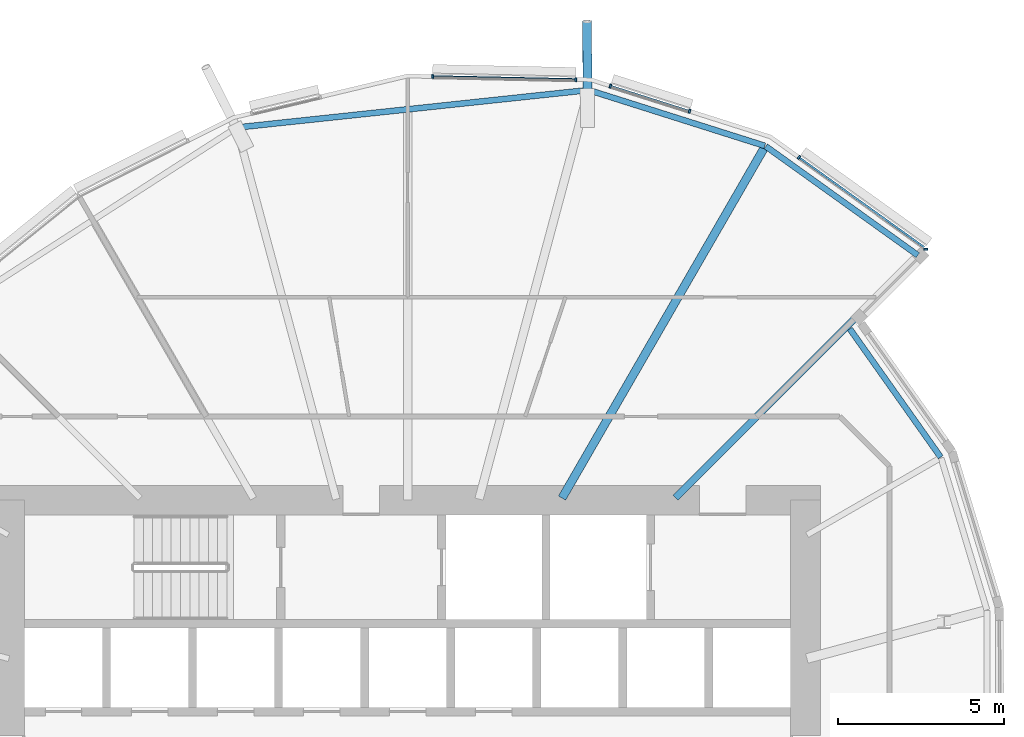
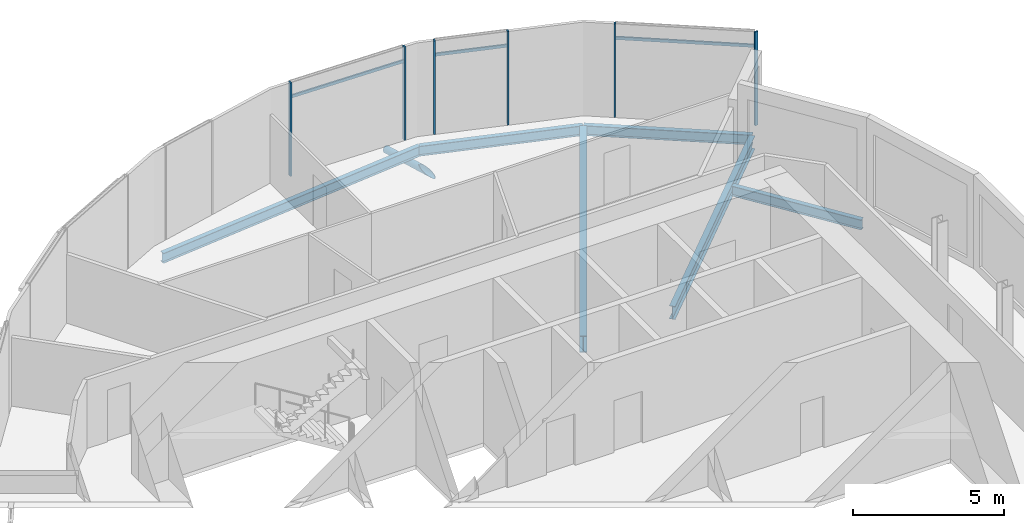
# One storey, part 17 of 36: 10 members, 6 beams, 1 element without a shape of its own.
"""IFC4 building model written with IfcOpenShell, lengths in metres."""

from ifc_helpers import new_model, si_unit, direction, frame, origin, origin_2d, place, context, subcontext, project, spatial, rectangle, hollow_circle, i_section, extrude, clip, halfspace, material, material_profile, profile_set, type_object, element, aggregate, save


model = new_model("IFC4")

# Units and contexts
model_context = context("Model", 3, precision=1e-05, world=origin(), true_north=direction((0.0, 1.0)))
body_context = subcontext(model_context, "Body", "Model", "MODEL_VIEW")
ifc_project = project(units=[si_unit("LENGTHUNIT", "METRE"), si_unit("AREAUNIT", "SQUARE_METRE"), si_unit("VOLUMEUNIT", "CUBIC_METRE"), si_unit("PLANEANGLEUNIT", "RADIAN"), si_unit("MASSUNIT", "GRAM", prefix="KILO")], contexts=[model_context])

# Site, building, storey
site_placement = place(None, origin())
site = spatial("IfcSite", under=ifc_project, at=site_placement, CompositionType="ELEMENT")
building_placement = place(site_placement, origin())
building = spatial("IfcBuilding", under=site, at=building_placement, Name="Rimbun Link Towers", CompositionType="ELEMENT")
storey_placement = place(building_placement, frame((0.0, 0.0, 33.800048828125)))
storey = spatial("IfcBuildingStorey", under=building, at=storey_placement, Name="L07", CompositionType="ELEMENT", Elevation=33.800048828125)

# Curtain wall, members
ifc_material_1 = material(Name="Aluminium 6063-T6 and low-iron glass", Category="aluminium")
curtain_wall_type = type_object("IfcCurtainWallType", Name="CW1 unitised vision wall", PredefinedType="NOTDEFINED", material=ifc_material_1)
curtain_wall_placement = place(storey_placement, origin())
curtain_wall = element("IfcCurtainWall", 1, at=curtain_wall_placement, inside=storey, type_object=curtain_wall_type, Name="CW1 L07 T2", PredefinedType="NOTDEFINED")
ifc_material_2 = material(Name="Aluminium 6063-T6", Category="aluminium")
ifc_material_profile_1 = material_profile(ifc_material_2, rectangle(XDim=0.1201171875, YDim=0.06005859375, at=origin_2d()), Name="MULLION 60X120")
ifc_profile_set_1 = profile_set([ifc_material_profile_1], Name="Aluminium 6063-T6")
member_type_1 = type_object("IfcMemberType", Name="CW1 mullion 60X120", PredefinedType="MULLION", material=ifc_profile_set_1)
member_1_placement = place(storey_placement, frame((43.5517578125, 18.339599609375, 0.0), z_axis=(0.0, 0.0, 1.0), x_axis=(0.58299812018, 0.812473502255, 0.0)))
member_1 = element("IfcMember", 2, at=member_1_placement, type_object=member_type_1, Name="CW1 mullion", PredefinedType="MULLION", context=body_context, shape_type="SweptSolid", body=[
    extrude(rectangle(XDim=0.1201171875, YDim=0.06005859375, at=origin_2d()), origin(), (0.0, 0.0, 1.0), 3.800048828125),
])
member_2_placement = place(storey_placement, frame((47.375, 15.570068359375, 0.0), z_axis=(0.0, 0.0, 1.0), x_axis=(0.996681355092, 0.081401943544, 0.0)))
member_2 = element("IfcMember", 3, at=member_2_placement, type_object=member_type_1, Name="CW1 mullion", PredefinedType="MULLION", context=body_context, shape_type="SweptSolid", body=[
    extrude(rectangle(XDim=0.1201171875, YDim=0.06005859375, at=origin_2d()), origin(), (0.0, 0.0, 1.0), 3.800048828125),
])
member_3_placement = place(storey_placement, frame((37.8642578125, 20.492431640625, 0.0), z_axis=(0.0, 0.0, 1.0), x_axis=(0.303073741351, 0.952967107147, 0.0)))
member_3 = element("IfcMember", 4, at=member_3_placement, type_object=member_type_1, Name="CW1 mullion", PredefinedType="MULLION", context=body_context, shape_type="SweptSolid", body=[
    extrude(rectangle(XDim=0.1201171875, YDim=0.06005859375, at=origin_2d()), origin(), (0.0, 0.0, 1.0), 3.800048828125),
])
member_4_placement = place(storey_placement, frame((40.251708984375, 19.733154296875, 0.0), z_axis=(0.0, 0.0, 1.0), x_axis=(0.303073741351, 0.952967107147, 0.0)))
member_4 = element("IfcMember", 5, at=member_4_placement, type_object=member_type_1, Name="CW1 mullion", PredefinedType="MULLION", context=body_context, shape_type="SweptSolid", body=[
    extrude(rectangle(XDim=0.1201171875, YDim=0.06005859375, at=origin_2d()), origin(), (0.0, 0.0, 1.0), 3.800048828125),
])
member_5_placement = place(storey_placement, frame((32.5009765625, 20.777587890625, 0.0), z_axis=(0.0, 0.0, 1.0), x_axis=(0.021065867113, 0.999778089999, 0.0)))
member_5 = element("IfcMember", 6, at=member_5_placement, type_object=member_type_1, Name="CW1 mullion", PredefinedType="MULLION", context=body_context, shape_type="SweptSolid", body=[
    extrude(rectangle(XDim=0.1201171875, YDim=0.06005859375, at=origin_2d()), origin(), (0.0, 0.0, 1.0), 3.800048828125),
])
member_6_placement = place(storey_placement, frame((36.82568359375, 20.6865234375, 0.0), z_axis=(0.0, 0.0, 1.0), x_axis=(0.021065867113, 0.999778089999, 0.0)))
member_6 = element("IfcMember", 7, at=member_6_placement, type_object=member_type_1, Name="CW1 mullion", PredefinedType="MULLION", context=body_context, shape_type="SweptSolid", body=[
    extrude(rectangle(XDim=0.1201171875, YDim=0.06005859375, at=origin_2d()), origin(), (0.0, 0.0, 1.0), 3.800048828125),
])
ifc_material_3 = material(Name="Aluminium 6063-T6", Category="aluminium")
ifc_material_profile_2 = material_profile(ifc_material_3, rectangle(XDim=0.06005859375, YDim=0.1201171875, at=origin_2d()), Name="TRANSOM 60X120")
ifc_profile_set_2 = profile_set([ifc_material_profile_2], Name="Aluminium 6063-T6")
member_type_2 = type_object("IfcMemberType", Name="CW1 transom 60X120", PredefinedType="USERDEFINED", material=ifc_profile_set_2)
member_7_placement = place(storey_placement, frame((43.574951171875, 18.320556640625, 3.199951171875), z_axis=(0.812473430074, -0.582998220772, 0.0), x_axis=(0.582998220772, 0.812473430074, 0.0)))
member_7 = element("IfcMember", 8, at=member_7_placement, type_object=member_type_2, Name="CW1 transom", ObjectType="TRANSOM", PredefinedType="USERDEFINED", context=body_context, shape_type="SweptSolid", body=[
    extrude(rectangle(XDim=0.06005859375, YDim=0.1201171875, at=origin_2d()), origin(), (0.0, 0.0, 1.0), 4.615234375),
])
member_8_placement = place(storey_placement, frame((37.892333984375, 20.4814453125, 3.199951171875), z_axis=(0.952955932815, -0.303108875016, 0.0), x_axis=(0.303108875016, 0.952955932815, 0.0)))
member_8 = element("IfcMember", 9, at=member_8_placement, type_object=member_type_2, Name="CW1 transom", ObjectType="TRANSOM", PredefinedType="USERDEFINED", context=body_context, shape_type="SweptSolid", body=[
    extrude(rectangle(XDim=0.06005859375, YDim=0.1201171875, at=origin_2d()), origin(), (0.0, 0.0, 1.0), 2.4453125),
])
member_9_placement = place(storey_placement, frame((32.531005859375, 20.775146484375, 3.199951171875), z_axis=(0.999778162612, -0.021062420646, 0.0), x_axis=(0.021062420646, 0.999778162612, 0.0)))
member_9 = element("IfcMember", 10, at=member_9_placement, type_object=member_type_2, Name="CW1 transom", ObjectType="TRANSOM", PredefinedType="USERDEFINED", context=body_context, shape_type="SweptSolid", body=[
    extrude(rectangle(XDim=0.06005859375, YDim=0.1201171875, at=origin_2d()), origin(), (0.0, 0.0, 1.0), 4.265625),
])
aggregate(curtain_wall, [member_1, member_2, member_3, member_4, member_5, member_6, member_7, member_8, member_9])

# Member
ifc_material_4 = material(Name="Steel S355J2H", Category="steel")
ifc_material_profile_3 = material_profile(ifc_material_4, hollow_circle(Radius=0.136474609375, WallThickness=0.012451171875, at=origin_2d()), Name="CHS 273x12.5")
ifc_profile_set_3 = profile_set([ifc_material_profile_3], Name="Steel S355J2H")
member_type_3 = type_object("IfcMemberType", Name="Floor edge link CHS 273x12.5", PredefinedType="BRACE", material=ifc_profile_set_3)
member_10_placement = place(storey_placement, frame((37.17138671875, 20.233154296875, -0.975341796875), z_axis=(-0.004256277618, 0.964046880427, -0.26569813029), x_axis=(-0.999990253981, -0.004414968009, 0.0)))
element("IfcMember", 11, at=member_10_placement, inside=storey, type_object=member_type_3, Name="Floor edge link T2 L07 02", PredefinedType="BRACE", context=body_context, shape_type="Clipping", body=[
    clip(extrude(hollow_circle(Radius=0.136474609375, WallThickness=0.012451171875, at=origin_2d()), frame((0.0, 0.0, -1.0283203125)), (0.0, 0.0, 1.0), 3.32275390625), halfspace(frame((0.0, 0.0, -0.488525390625), z_axis=(0.0, 0.964056276138, -0.26569813029)), False)),
])

# Beams
ifc_material_5 = material(Name="Steel S355J2", Category="steel")
ifc_material_profile_4 = material_profile(ifc_material_5, i_section(OverallWidth=0.177978515625, OverallDepth=0.406494140625, WebThickness=0.0078125, FlangeThickness=0.0126953125, at=origin_2d()), Name="UB 406x178x60")
ifc_profile_set_4 = profile_set([ifc_material_profile_4], Name="Steel S355J2")
beam_type_1 = type_object("IfcBeamType", Name="UB 406x178x60", PredefinedType="BEAM", material=ifc_profile_set_4)
beam_1_placement = place(storey_placement, frame((47.13525390625, 15.38671875, -0.36328125), z_axis=(-0.812949243034, 0.582334550109, 0.0), x_axis=(-0.582334550109, -0.812949243034, 0.0)))
element("IfcBeam", 12, at=beam_1_placement, inside=storey, type_object=beam_type_1, Name="Edge beam T2 L07 00", PredefinedType="BEAM", context=body_context, shape_type="SweptSolid", body=[
    extrude(i_section(OverallWidth=0.177978515625, OverallDepth=0.406494140625, WebThickness=0.0078125, FlangeThickness=0.0126953125, at=origin_2d()), origin(), (0.0, 0.0, 1.0), 5.642578125),
])
beam_2_placement = place(storey_placement, frame((42.521240234375, 18.68603515625, -0.36328125), z_axis=(-0.953350631235, 0.301865158512, 0.0), x_axis=(-0.301865158512, -0.953350631235, 0.0)))
element("IfcBeam", 13, at=beam_2_placement, inside=storey, type_object=beam_type_1, Name="Edge beam T2 L07 01", PredefinedType="BEAM", context=body_context, shape_type="SweptSolid", body=[
    extrude(i_section(OverallWidth=0.177978515625, OverallDepth=0.406494140625, WebThickness=0.0078125, FlangeThickness=0.0126953125, at=origin_2d()), origin(), (0.0, 0.0, 1.0), 5.572509765625),
])
beam_3_placement = place(storey_placement, frame((37.206787109375, 20.368408203125, -0.36328125), z_axis=(-0.994375808605, -0.105909165138, 0.0), x_axis=(0.105909165138, -0.994375808605, 0.0)))
element("IfcBeam", 14, at=beam_3_placement, inside=storey, type_object=beam_type_1, Name="Edge beam T2 L07 02-04", PredefinedType="BEAM", context=body_context, shape_type="SweptSolid", body=[
    extrude(i_section(OverallWidth=0.177978515625, OverallDepth=0.406494140625, WebThickness=0.0078125, FlangeThickness=0.0126953125, at=origin_2d()), origin(), (0.0, 0.0, 1.0), 10.555419921875),
])
beam_4_placement = place(storey_placement, frame((47.82373046875, 9.298095703125, -0.36328125), z_axis=(-0.57792869873, 0.816087261991, 0.0), x_axis=(-0.816087261991, -0.57792869873, 0.0)))
element("IfcBeam", 15, at=beam_4_placement, inside=storey, type_object=beam_type_1, Name="Edge beam T2 L07 23 recess", PredefinedType="BEAM", context=body_context, shape_type="SweptSolid", body=[
    extrude(i_section(OverallWidth=0.177978515625, OverallDepth=0.406494140625, WebThickness=0.0078125, FlangeThickness=0.0126953125, at=origin_2d()), origin(), (0.0, 0.0, 1.0), 4.738037109375),
])
ifc_material_6 = material(Name="Steel S355J2", Category="steel")
ifc_material_profile_5 = material_profile(ifc_material_6, i_section(OverallWidth=0.209228515625, OverallDepth=0.533203125, WebThickness=0.010009765625, FlangeThickness=0.015625, at=origin_2d()), Name="UB 533x210x92")
ifc_profile_set_5 = profile_set([ifc_material_profile_5], Name="Steel S355J2")
beam_type_2 = type_object("IfcBeamType", Name="UB 533x210x92", PredefinedType="BEAM", material=ifc_profile_set_5)
beam_5_placement = place(storey_placement, frame((39.82470703125, 8.07470703125, -0.4267578125), z_axis=(0.707106781187, 0.707106781187, 0.0), x_axis=(-0.707106781187, 0.707106781187, 0.0)))
element("IfcBeam", 16, at=beam_5_placement, inside=storey, type_object=beam_type_2, Name="Radial beam T2 L07 00", PredefinedType="BEAM", context=body_context, shape_type="SweptSolid", body=[
    extrude(i_section(OverallWidth=0.209228515625, OverallDepth=0.533203125, WebThickness=0.010009765625, FlangeThickness=0.015625, at=origin_2d()), origin(), (0.0, 0.0, 1.0), 10.2490234375),
])
ifc_material_7 = material(Name="Steel S355J2", Category="steel")
ifc_material_profile_6 = material_profile(ifc_material_7, i_section(OverallWidth=0.253662109375, OverallDepth=0.68359375, WebThickness=0.012451171875, FlangeThickness=0.01904296875, at=origin_2d()), Name="UB 686x254x140")
ifc_profile_set_6 = profile_set([ifc_material_profile_6], Name="Steel S355J2")
beam_type_3 = type_object("IfcBeamType", Name="UB 686x254x140", PredefinedType="BEAM", material=ifc_profile_set_6)
beam_6_placement = place(storey_placement, frame((36.406005859375, 8.064208984375, -0.501708984375), z_axis=(0.499990464221, 0.866030909199, 0.0), x_axis=(-0.866030909199, 0.499990464221, 0.0)))
element("IfcBeam", 17, at=beam_6_placement, inside=storey, type_object=beam_type_3, Name="Radial beam T2 L07 01", PredefinedType="BEAM", context=body_context, shape_type="SweptSolid", body=[
    extrude(i_section(OverallWidth=0.253662109375, OverallDepth=0.68359375, WebThickness=0.012451171875, FlangeThickness=0.01904296875, at=origin_2d()), origin(), (0.0, 0.0, 1.0), 12.169677734375),
])

save(model, "model.ifc")
